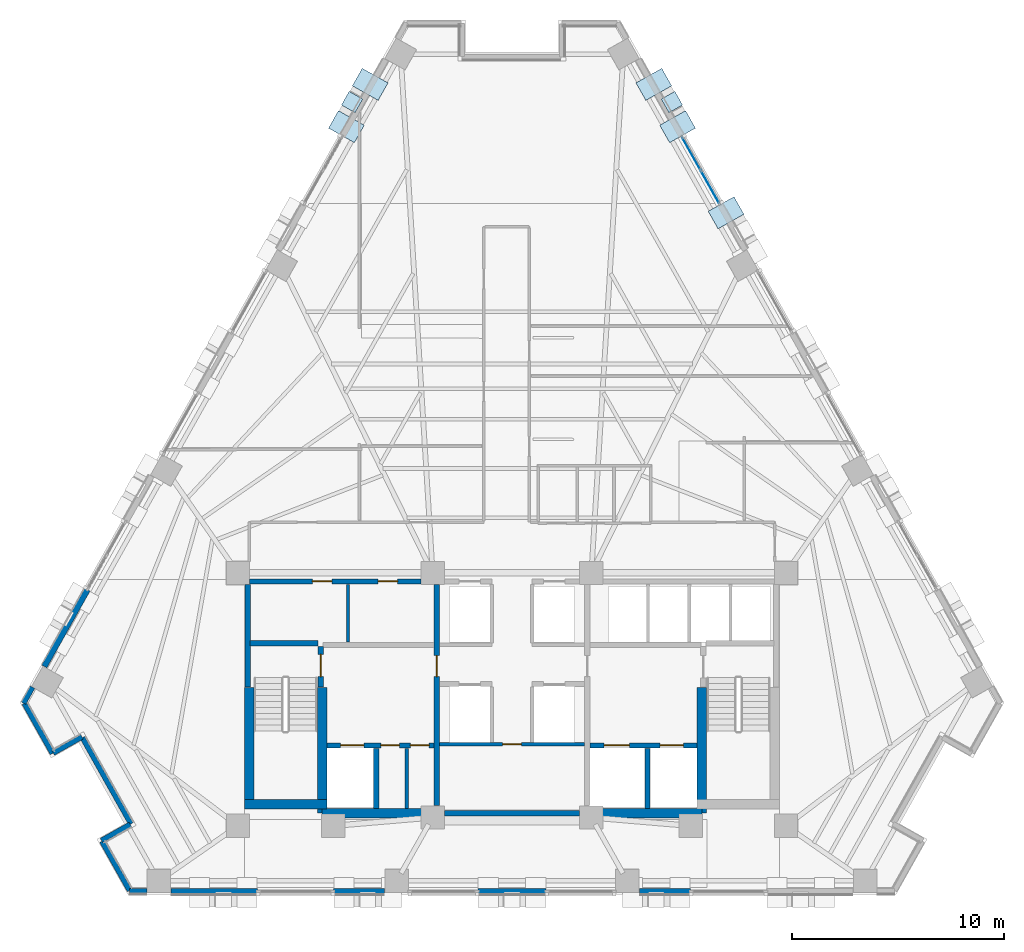
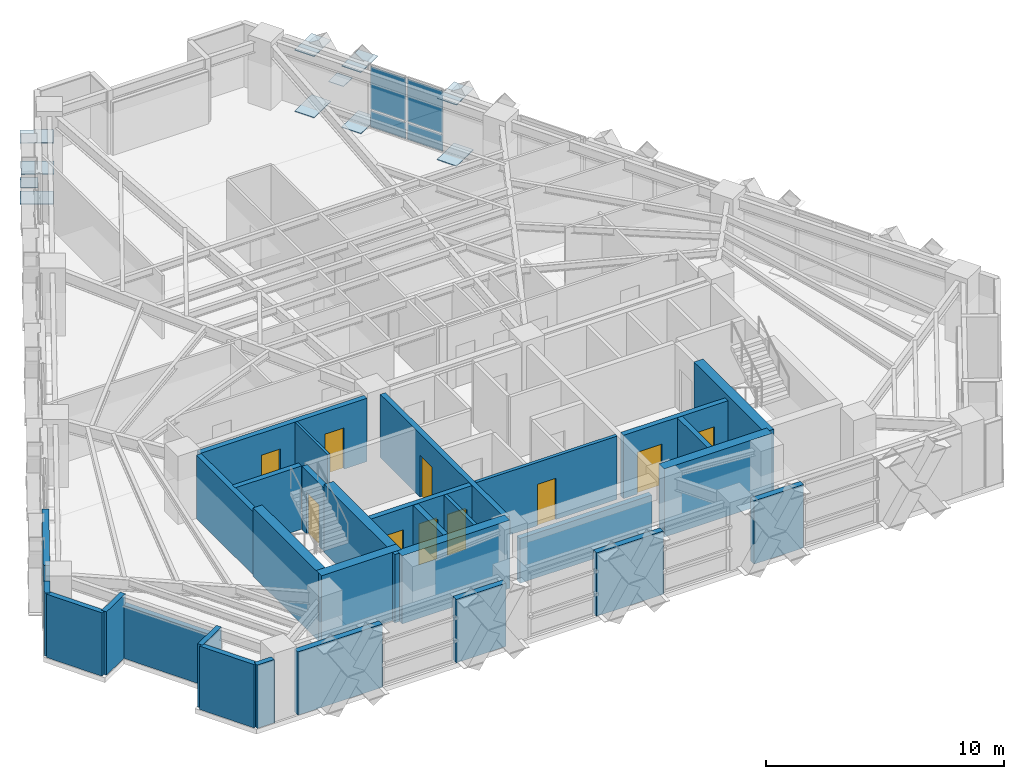
# One storey, part 7 of 14: 31 walls, 15 plates, 10 doors, 10 openings, 1 element without a shape of its own.
"""IFC4 building model written with IfcOpenShell, lengths in metres."""

from ifc_helpers import new_model, si_unit, direction, frame, frame_2d, origin, origin_2d, place, context, subcontext, project, spatial, rectangle, extrude, material, layer, layer_set, type_object, element, fill, aggregate, save


model = new_model("IFC4")

# Units and contexts
model_context = context("Model", 3, precision=1e-05, world=origin(), true_north=direction((0.0, 1.0)))
body_context = subcontext(model_context, "Body", "Model", "MODEL_VIEW")
ifc_project = project(units=[si_unit("LENGTHUNIT", "METRE"), si_unit("AREAUNIT", "SQUARE_METRE"), si_unit("VOLUMEUNIT", "CUBIC_METRE"), si_unit("PLANEANGLEUNIT", "RADIAN"), si_unit("MASSUNIT", "GRAM", prefix="KILO")], contexts=[model_context])

# Site, building, storey
site_placement = place(None, origin())
site = spatial("IfcSite", under=ifc_project, at=site_placement, CompositionType="ELEMENT")
building_placement = place(site_placement, origin())
building = spatial("IfcBuilding", under=site, at=building_placement, Name="Quenlor Broadcast Tower", CompositionType="ELEMENT")
storey_placement = place(building_placement, frame((0.0, 0.0, 102.0)))
storey = spatial("IfcBuildingStorey", under=building, at=storey_placement, Name="L27", CompositionType="ELEMENT", Elevation=102.0)

# Curtain wall, plates
ifc_material_1 = material(Name="Architectural Terracotta and Low-E Glazing", Category="masonry")
curtain_wall_type = type_object("IfcCurtainWallType", Name="Unitised Terracotta Curtain Wall System Z2", PredefinedType="NOTDEFINED", material=ifc_material_1)
curtain_wall_placement = place(storey_placement, origin())
curtain_wall = element("IfcCurtainWall", 1, at=curtain_wall_placement, inside=storey, type_object=curtain_wall_type, Name="L27 Curtain Wall CW2 (L27-NEA-G1)", PredefinedType="NOTDEFINED")
ifc_material_2 = material(Name="Double Glazed Low-E Solar Glass", Category="glass")
ifc_layer_1 = layer(ifc_material_2, 0.030029296875)
ifc_layer_set_1 = layer_set([ifc_layer_1], Name="CW2 Double Glazed Vision Panel 30")
plate_type_1 = type_object("IfcPlateType", Name="CW2 Double Glazed Vision Panel 30", PredefinedType="CURTAIN_PANEL", material=ifc_layer_set_1)
plate_1_placement = place(storey_placement, frame((8.473388671875, 15.009765625, 0.074951171875), z_axis=(0.0, 0.0, 1.0), x_axis=(0.490265104904, -0.871573362898, 0.0)))
plate_1 = element("IfcPlate", 2, at=plate_1_placement, type_object=plate_type_1, Name="CW2 panel 1.1", PredefinedType="CURTAIN_PANEL", context=body_context, shape_type="SweptSolid", body=[
    extrude(rectangle(XDim=1.72998046875, YDim=0.030029296875, at=origin_2d()), origin(), (0.0, 0.0, 1.0), 0.83740234375),
])
plate_2_placement = place(storey_placement, frame((8.473388671875, 15.009765625, 0.987548828125), z_axis=(0.0, 0.0, 1.0), x_axis=(0.490265104904, -0.871573362898, 0.0)))
plate_2 = element("IfcPlate", 3, at=plate_2_placement, type_object=plate_type_1, Name="CW2 panel 1.2", PredefinedType="CURTAIN_PANEL", context=body_context, shape_type="SweptSolid", body=[
    extrude(rectangle(XDim=1.72998046875, YDim=0.030029296875, at=origin_2d()), origin(), (0.0, 0.0, 1.0), 2.1875),
])
plate_3_placement = place(storey_placement, frame((9.3583984375, 13.4365234375, 0.074951171875), z_axis=(0.0, 0.0, 1.0), x_axis=(0.490265104904, -0.871573362898, 0.0)))
plate_3 = element("IfcPlate", 4, at=plate_3_placement, type_object=plate_type_1, Name="CW2 panel 2.1", PredefinedType="CURTAIN_PANEL", context=body_context, shape_type="SweptSolid", body=[
    extrude(rectangle(XDim=1.72998046875, YDim=0.030029296875, at=origin_2d()), origin(), (0.0, 0.0, 1.0), 0.83740234375),
])
plate_4_placement = place(storey_placement, frame((9.3583984375, 13.4365234375, 0.987548828125), z_axis=(0.0, 0.0, 1.0), x_axis=(0.490265104904, -0.871573362898, 0.0)))
plate_4 = element("IfcPlate", 5, at=plate_4_placement, type_object=plate_type_1, Name="CW2 panel 2.2", PredefinedType="CURTAIN_PANEL", context=body_context, shape_type="SweptSolid", body=[
    extrude(rectangle(XDim=1.72998046875, YDim=0.030029296875, at=origin_2d()), origin(), (0.0, 0.0, 1.0), 2.1875),
])
aggregate(curtain_wall, [plate_1, plate_2, plate_3, plate_4])

# Plates
ifc_material_3 = material(Name="Steel S355", Category="steel")
ifc_layer_2 = layer(ifc_material_3, 0.028076171875)
ifc_layer_set_2 = layer_set([ifc_layer_2], Name="Perimeter Lattice Node Steel S355 Cap Plate 740x740x28")
plate_type_2 = type_object("IfcPlateType", Name="Perimeter Lattice Node Steel S355 Cap Plate 740x740x28", PredefinedType="USERDEFINED", material=ifc_layer_set_2)
for number, where, z_axis, x_axis, name in (
    (6, (7.5537109375, 17.45068359375, 1.61572265625), (0.0, 0.0, 1.0), (0.490295412055, -0.871556314255, 0.0), "L27 Diamond Lattice Crossing Node NE-C1"),
    (7, (-7.5537109375, 17.45068359375, 1.61572265625), (0.0, 0.0, 1.0), (0.490295412055, 0.871556314255, 0.0), "L27 Diamond Lattice Crossing Node NW-C5"),
):
    element("IfcPlate", number, at=place(storey_placement, frame(where, z_axis=z_axis, x_axis=x_axis)), inside=storey, type_object=plate_type_2, Name=name, ObjectType="CAP PLATE", PredefinedType="USERDEFINED", context=body_context, shape_type="SweptSolid", body=[
        extrude(rectangle(XDim=0.739990234375, YDim=0.739990234375, at=origin_2d()), origin(), (0.0, 0.0, 1.0), 0.028076171875),
    ])
ifc_material_4 = material(Name="Steel S355", Category="steel")
ifc_layer_3 = layer(ifc_material_4, 0.035888671875)
ifc_layer_set_3 = layer_set([ifc_layer_3], Name="Transfer Truss Steel S355 Gusset Node Plate 1400x950x36")
plate_type_3 = type_object("IfcPlateType", Name="Transfer Truss Steel S355 Gusset Node Plate 1400x950x36", PredefinedType="SHEET", material=ifc_layer_set_3)
for number, where, z_axis, x_axis, name in (
    (8, (6.69970703125, 18.28564453125, 0.0419921875), (0.0, 0.0, 1.0), (0.871556314255, 0.490295412055, 0.0), "L27 Lattice Tie Gusset Node NE-B1"),
    (9, (7.823486328125, 16.287353515625, 3.18212890625), (0.0, 0.0, 1.0), (0.871556314255, 0.490295412055, 0.0), "L27 Lattice Tie Gusset Node NE-T2"),
    (10, (7.823486328125, 16.287353515625, 0.0419921875), (0.0, 0.0, 1.0), (0.871556314255, 0.490295412055, 0.0), "L27 Lattice Tie Gusset Node NE-B2"),
    (11, (6.69970703125, 18.28564453125, 3.18212890625), (0.0, 0.0, 1.0), (0.871556314255, 0.490295412055, 0.0), "L27 Lattice Tie Gusset Node NE-T1"),
    (12, (10.11279296875, 12.218017578125, 0.0419921875), (0.0, 0.0, 1.0), (0.871556314255, 0.490295412055, 0.0), "L27 Lattice Tie Gusset Node NE-B4"),
    (13, (10.11279296875, 12.218017578125, 3.18212890625), (0.0, 0.0, 1.0), (0.871556314255, 0.490295412055, 0.0), "L27 Lattice Tie Gusset Node NE-T4"),
    (14, (-6.69970703125, 18.28564453125, 3.18212890625), (0.0, 0.0, 1.0), (-0.871556314255, 0.490295412055, 0.0), "L27 Lattice Tie Gusset Node NW-T14"),
    (15, (-6.69970703125, 18.28564453125, 0.0419921875), (0.0, 0.0, 1.0), (-0.871556314255, 0.490295412055, 0.0), "L27 Lattice Tie Gusset Node NW-B14"),
    (16, (-7.823486328125, 16.287353515625, 3.18212890625), (0.0, 0.0, 1.0), (-0.871556314255, 0.490295412055, 0.0), "L27 Lattice Tie Gusset Node NW-T13"),
):
    element("IfcPlate", number, at=place(storey_placement, frame(where, z_axis=z_axis, x_axis=x_axis)), inside=storey, type_object=plate_type_3, Name=name, PredefinedType="SHEET", context=body_context, shape_type="SweptSolid", body=[
        extrude(rectangle(XDim=1.39990234375, YDim=0.949951171875, at=origin_2d()), origin(), (0.0, 0.0, 1.0), 0.035888671875),
    ])

# Walls
ifc_material_5 = material(Name="Concrete C50/60", Category="concrete")
ifc_layer_4 = layer(ifc_material_5, 0.449951171875)
ifc_layer_set_4 = layer_set([ifc_layer_4], Name="Core Concrete C50/60 Shear Wall 450")
wall_type_1 = type_object("IfcWallType", Name="Core Concrete C50/60 Shear Wall 450", PredefinedType="SHEAR", material=ifc_layer_set_4)
wall_1_placement = place(storey_placement, frame((-12.64990234375, -15.72509765625, 0.0), z_axis=(0.0, 0.0, 1.0), x_axis=(1.0, 0.0, 0.0)))
element("IfcWall", 17, at=wall_1_placement, inside=storey, type_object=wall_type_1, Name="L27 Core Shear Wall WS-W1", PredefinedType="SHEAR", context=body_context, shape_type="SweptSolid", body=[
    extrude(rectangle(XDim=3.89990234375, YDim=0.449951171875, at=frame_2d((1.949951171875, 0.0))), origin(), (0.0, 0.0, 1.0), 3.5),
])
for number, where, z_axis, x_axis, name in (
    (18, (-8.97509765625, -16.14990234375, 0.0), (0.0, 0.0, 1.0), (1.0, 0.0, 0.0), "L27 Core Shear Wall WS-W2"),
    (19, (3.75, -16.14990234375, 0.0), (0.0, 0.0, 1.0), (1.0, 0.0, 0.0), "L27 Core Shear Wall WS-E1"),
):
    element("IfcWall", number, at=place(storey_placement, frame(where, z_axis=z_axis, x_axis=x_axis)), inside=storey, type_object=wall_type_1, Name=name, PredefinedType="SHEAR", context=body_context, shape_type="SweptSolid", body=[
        extrude(rectangle(XDim=5.22509765625, YDim=0.449951171875, at=frame_2d((2.612548828125, 0.0))), origin(), (0.0, 0.0, 1.0), 3.5),
    ])
wall_2_placement = place(storey_placement, frame((-12.425048828125, -15.72509765625, 0.0), z_axis=(0.0, 0.0, 1.0), x_axis=(0.0, 1.0, 0.0)))
element("IfcWall", 20, at=wall_2_placement, inside=storey, type_object=wall_type_1, Name="L27 Core Shear Wall WF-W", PredefinedType="SHEAR", context=body_context, shape_type="SweptSolid", body=[
    extrude(rectangle(XDim=5.525146484375, YDim=0.449951171875, at=frame_2d((2.7626953125, 0.0))), origin(), (0.0, 0.0, 1.0), 3.5),
])
for number, where, z_axis, x_axis, name in (
    (21, (-8.97509765625, -16.14990234375, 0.0), (0.0, 0.0, 1.0), (0.0, 1.0, 0.0), "L27 Core Shear Wall WI-W"),
    (22, (8.97509765625, -16.14990234375, 0.0), (0.0, 0.0, 1.0), (0.0, 1.0, 0.0), "L27 Core Shear Wall WI-E"),
):
    element("IfcWall", number, at=place(storey_placement, frame(where, z_axis=z_axis, x_axis=x_axis)), inside=storey, type_object=wall_type_1, Name=name, PredefinedType="SHEAR", context=body_context, shape_type="SweptSolid", body=[
        extrude(rectangle(XDim=5.949951171875, YDim=0.449951171875, at=frame_2d((2.97509765625, 0.0))), origin(), (0.0, 0.0, 1.0), 3.5),
    ])

# Wall, opening, door
ifc_material_6 = material(Name="Concrete C40/50", Category="concrete")
ifc_layer_5 = layer(ifc_material_6, 0.25)
ifc_layer_set_5 = layer_set([ifc_layer_5], Name="Fire Rated Concrete C40/50 Core Wall 250")
wall_type_2 = type_object("IfcWallType", Name="Fire Rated Concrete C40/50 Core Wall 250", PredefinedType="PARTITIONING", material=ifc_layer_set_5)
wall_3_placement = place(storey_placement, frame((-9.0400390625, -10.179931640625, 0.0), z_axis=(0.0, 0.0, 1.0), x_axis=(0.0, 1.0, 0.0)))
wall_3 = element("IfcWall", 23, at=wall_3_placement, inside=storey, type_object=wall_type_2, Name="L27 Interior Wall CW-ST1-DR", PredefinedType="PARTITIONING", context=body_context, shape_type="SweptSolid", body=[
    extrude(rectangle(XDim=1.89990234375, YDim=0.25, at=frame_2d((0.949951171875, 0.0))), origin(), (0.0, 0.0, 1.0), 3.25),
])
opening_1_placement = place(wall_3_placement, frame((0.47998046875, 0.0, 0.0)))
opening_1 = element("IfcOpeningElement", 24, at=opening_1_placement, cuts=wall_3, Name="Opening FD-1", PredefinedType="OPENING", context=body_context, shape_type="SweptSolid", body=[
    extrude(rectangle(XDim=1.050048828125, YDim=2.14990234375, at=frame_2d((0.52490234375, 1.074951171875))), frame((0.0, 0.135009765625, 0.0), z_axis=(0.0, -1.0, 0.0), x_axis=(1.0, 0.0, 0.0)), (0.0, 0.0, 1.0), 0.27001953125),
])
ifc_material_7 = material(Name="Fire Rated Steel Door Leaf", Category="steel")
door_type_1 = type_object("IfcDoorType", Name="Fire Isolated Stair Door 1050x2150", OperationType="NOTDEFINED", PredefinedType="DOOR", material=ifc_material_7)
door_1_placement = place(opening_1_placement, origin())
door_1 = element("IfcDoor", 25, at=door_1_placement, inside=storey, type_object=door_type_1, Name="L27 Door DR-ST1", OperationType="SINGLE_SWING_LEFT", OverallHeight=2.14990234375, OverallWidth=1.050048828125, PredefinedType="DOOR", context=body_context, shape_type="SweptSolid", body=[
    extrude(rectangle(XDim=1.050048828125, YDim=2.14990234375, at=frame_2d((0.52490234375, 1.074951171875))), frame((0.0, 0.02490234375, 0.0), z_axis=(0.0, -1.0, 0.0), x_axis=(1.0, 0.0, 0.0)), (0.0, 0.0, 1.0), 0.050048828125),
])
fill(opening_1, door_1)

# Walls
wall_4_placement = place(storey_placement, frame((-12.3798828125, -8.1201171875, 0.0), z_axis=(0.0, 0.0, 1.0), x_axis=(1.0, 0.0, 0.0)))
element("IfcWall", 26, at=wall_4_placement, inside=storey, type_object=wall_type_2, Name="L27 Interior Wall CW-ST1-N", PredefinedType="PARTITIONING", context=body_context, shape_type="SweptSolid", body=[
    extrude(rectangle(XDim=3.219970703125, YDim=0.25, at=frame_2d((1.60986328125, 0.0))), origin(), (0.0, 0.0, 1.0), 3.25),
])
wall_5_placement = place(storey_placement, frame((-12.47998046875, -10.179931640625, 0.0), z_axis=(0.0, 0.0, 1.0), x_axis=(0.0, 1.0, 0.0)))
element("IfcWall", 27, at=wall_5_placement, inside=storey, type_object=wall_type_2, Name="L27 Interior Wall CW-ST1-W2", PredefinedType="PARTITIONING", context=body_context, shape_type="SweptSolid", body=[
    extrude(rectangle(XDim=4.827880859375, YDim=0.25, at=frame_2d((2.4140625, 0.0))), origin(), (0.0, 0.0, 1.0), 3.25),
])

# Wall, openings, doors
wall_6_placement = place(storey_placement, frame((-8.748046875, -12.949951171875, 0.0), z_axis=(0.0, 0.0, 1.0), x_axis=(1.0, 0.0, 0.0)))
wall_6 = element("IfcWall", 28, at=wall_6_placement, inside=storey, type_object=wall_type_2, Name="L27 Interior Wall CW-FFW-S", PredefinedType="PARTITIONING", context=body_context, shape_type="SweptSolid", body=[
    extrude(rectangle(XDim=5.068115234375, YDim=0.25, at=frame_2d((2.5341796875, 0.0))), origin(), (0.0, 0.0, 1.0), 3.25),
])
opening_2_placement = place(wall_6_placement, frame((0.64794921875, 0.0, 0.0)))
opening_2 = element("IfcOpeningElement", 29, at=opening_2_placement, cuts=wall_6, Name="Opening LD-FFL-1", PredefinedType="OPENING", context=body_context, shape_type="SweptSolid", body=[
    extrude(rectangle(XDim=1.10009765625, YDim=2.14990234375, at=frame_2d((0.550048828125, 1.074951171875))), frame((0.0, 0.135009765625, 0.0), z_axis=(0.0, -1.0, 0.0), x_axis=(1.0, 0.0, 0.0)), (0.0, 0.0, 1.0), 0.27001953125),
])
opening_3_placement = place(wall_6_placement, frame((2.548095703125, 0.0, 0.0)))
opening_3 = element("IfcOpeningElement", 30, at=opening_3_placement, cuts=wall_6, Name="Opening TD-1", PredefinedType="OPENING", context=body_context, shape_type="SweptSolid", body=[
    extrude(rectangle(XDim=0.8798828125, YDim=2.10009765625, at=frame_2d((0.43994140625, 1.050048828125))), frame((0.0, 0.135009765625, 0.0), z_axis=(0.0, -1.0, 0.0), x_axis=(1.0, 0.0, 0.0)), (0.0, 0.0, 1.0), 0.27001953125),
])
opening_4_placement = place(wall_6_placement, frame((3.947998046875, 0.0, 0.0)))
opening_4 = element("IfcOpeningElement", 31, at=opening_4_placement, cuts=wall_6, Name="Opening TD-1", PredefinedType="OPENING", context=body_context, shape_type="SweptSolid", body=[
    extrude(rectangle(XDim=0.8798828125, YDim=2.10009765625, at=frame_2d((0.43994140625, 1.050048828125))), frame((0.0, 0.135009765625, 0.0), z_axis=(0.0, -1.0, 0.0), x_axis=(1.0, 0.0, 0.0)), (0.0, 0.0, 1.0), 0.27001953125),
])
ifc_material_8 = material(Name="Brushed Stainless Steel", Category="steel")
door_type_2 = type_object("IfcDoorType", Name="Emergency Lift Sliding Landing Door 1100x2150", OperationType="NOTDEFINED", PredefinedType="DOOR", material=ifc_material_8)
door_2_placement = place(opening_2_placement, origin())
door_2 = element("IfcDoor", 32, at=door_2_placement, inside=storey, type_object=door_type_2, Name="L27 Door LD-FFL-1", OperationType="SLIDING_TO_LEFT", OverallHeight=2.14990234375, OverallWidth=1.10009765625, PredefinedType="DOOR", context=body_context, shape_type="SweptSolid", body=[
    extrude(rectangle(XDim=1.10009765625, YDim=2.14990234375, at=frame_2d((0.550048828125, 1.074951171875))), frame((0.0, 0.02490234375, 0.0), z_axis=(0.0, -1.0, 0.0), x_axis=(1.0, 0.0, 0.0)), (0.0, 0.0, 1.0), 0.050048828125),
])
fill(opening_2, door_2)
ifc_material_9 = material(Name="Fire Rated Steel Access Panel", Category="steel")
door_type_3 = type_object("IfcDoorType", Name="Riser Shaft Rated Access Trapdoor 880x2100", OperationType="NOTDEFINED", PredefinedType="TRAPDOOR", material=ifc_material_9)
door_3_placement = place(opening_3_placement, origin())
door_3 = element("IfcDoor", 33, at=door_3_placement, inside=storey, type_object=door_type_3, Name="L27 Door DR-ELR", OperationType="SINGLE_SWING_LEFT", OverallHeight=2.10009765625, OverallWidth=0.8798828125, PredefinedType="TRAPDOOR", context=body_context, shape_type="SweptSolid", body=[
    extrude(rectangle(XDim=0.8798828125, YDim=2.10009765625, at=frame_2d((0.43994140625, 1.050048828125))), frame((0.0, 0.02490234375, 0.0), z_axis=(0.0, -1.0, 0.0), x_axis=(1.0, 0.0, 0.0)), (0.0, 0.0, 1.0), 0.050048828125),
])
fill(opening_3, door_3)
door_4_placement = place(opening_4_placement, origin())
door_4 = element("IfcDoor", 34, at=door_4_placement, inside=storey, type_object=door_type_3, Name="L27 Door DR-CMR", OperationType="SINGLE_SWING_RIGHT", OverallHeight=2.10009765625, OverallWidth=0.8798828125, PredefinedType="TRAPDOOR", context=body_context, shape_type="SweptSolid", body=[
    extrude(rectangle(XDim=0.8798828125, YDim=2.10009765625, at=frame_2d((0.43994140625, 1.050048828125))), frame((0.0, 0.02490234375, 0.0), z_axis=(0.0, -1.0, 0.0), x_axis=(1.0, 0.0, 0.0)), (0.0, 0.0, 1.0), 0.050048828125),
])
fill(opening_4, door_4)

wall_7_placement = place(storey_placement, frame((3.679931640625, -12.949951171875, 0.0), z_axis=(0.0, 0.0, 1.0), x_axis=(1.0, 0.0, 0.0)))
wall_7 = element("IfcWall", 35, at=wall_7_placement, inside=storey, type_object=wall_type_2, Name="L27 Interior Wall CW-FFE-S", PredefinedType="PARTITIONING", context=body_context, shape_type="SweptSolid", body=[
    extrude(rectangle(XDim=5.068115234375, YDim=0.25, at=frame_2d((2.5341796875, 0.0))), origin(), (0.0, 0.0, 1.0), 3.25),
])
opening_5_placement = place(wall_7_placement, frame((3.320068359375, 0.0, 0.0)))
opening_5 = element("IfcOpeningElement", 36, at=opening_5_placement, cuts=wall_7, Name="Opening LD-FFL-2", PredefinedType="OPENING", context=body_context, shape_type="SweptSolid", body=[
    extrude(rectangle(XDim=1.10009765625, YDim=2.14990234375, at=frame_2d((0.550048828125, 1.074951171875))), frame((0.0, 0.135009765625, 0.0), z_axis=(0.0, -1.0, 0.0), x_axis=(1.0, 0.0, 0.0)), (0.0, 0.0, 1.0), 0.27001953125),
])
opening_6_placement = place(wall_7_placement, frame((0.669921875, 0.0, 0.0)))
opening_6 = element("IfcOpeningElement", 37, at=opening_6_placement, cuts=wall_7, Name="Opening LD-SVL-1", PredefinedType="OPENING", context=body_context, shape_type="SweptSolid", body=[
    extrude(rectangle(XDim=1.199951171875, YDim=2.14990234375, at=frame_2d((0.60009765625, 1.074951171875))), frame((0.0, 0.135009765625, 0.0), z_axis=(0.0, -1.0, 0.0), x_axis=(1.0, 0.0, 0.0)), (0.0, 0.0, 1.0), 0.27001953125),
])
door_5_placement = place(opening_5_placement, origin())
door_5 = element("IfcDoor", 38, at=door_5_placement, inside=storey, type_object=door_type_2, Name="L27 Door LD-FFL-2", OperationType="SLIDING_TO_RIGHT", OverallHeight=2.14990234375, OverallWidth=1.10009765625, PredefinedType="DOOR", context=body_context, shape_type="SweptSolid", body=[
    extrude(rectangle(XDim=1.10009765625, YDim=2.14990234375, at=frame_2d((0.550048828125, 1.074951171875))), frame((0.0, 0.02490234375, 0.0), z_axis=(0.0, -1.0, 0.0), x_axis=(1.0, 0.0, 0.0)), (0.0, 0.0, 1.0), 0.050048828125),
])
fill(opening_5, door_5)
ifc_material_10 = material(Name="Brushed Stainless Steel", Category="steel")
door_type_4 = type_object("IfcDoorType", Name="Goods Lift Sliding Landing Door 1200x2150", OperationType="NOTDEFINED", PredefinedType="DOOR", material=ifc_material_10)
door_6_placement = place(opening_6_placement, origin())
door_6 = element("IfcDoor", 39, at=door_6_placement, inside=storey, type_object=door_type_4, Name="L27 Door LD-SVL-1", OperationType="SLIDING_TO_LEFT", OverallHeight=2.14990234375, OverallWidth=1.199951171875, PredefinedType="DOOR", context=body_context, shape_type="SweptSolid", body=[
    extrude(rectangle(XDim=1.199951171875, YDim=2.14990234375, at=frame_2d((0.60009765625, 1.074951171875))), frame((0.0, 0.02490234375, 0.0), z_axis=(0.0, -1.0, 0.0), x_axis=(1.0, 0.0, 0.0)), (0.0, 0.0, 1.0), 0.050048828125),
])
fill(opening_6, door_6)

# Walls
for number, where, z_axis, x_axis, name in (
    (40, (-6.419921875, -15.919921875, 0.0), (0.0, 0.0, 1.0), (0.0, 1.0, 0.0), "L27 Interior Wall CW-FF1-E"),
    (41, (6.39990234375, -15.919921875, 0.0), (0.0, 0.0, 1.0), (0.0, 1.0, 0.0), "L27 Interior Wall CW-SV1-E"),
):
    element("IfcWall", number, at=place(storey_placement, frame(where, z_axis=z_axis, x_axis=x_axis)), inside=storey, type_object=wall_type_2, Name=name, PredefinedType="PARTITIONING", context=body_context, shape_type="SweptSolid", body=[
        extrude(rectangle(XDim=2.829833984375, YDim=0.25, at=frame_2d((1.4150390625, 0.0))), origin(), (0.0, 0.0, 1.0), 3.25),
    ])

# Wall, opening, door
wall_8_placement = place(storey_placement, frame((-3.550048828125, -15.798095703125, 0.0), z_axis=(0.0, 0.0, 1.0), x_axis=(0.0, 1.0, 0.0)))
wall_8 = element("IfcWall", 42, at=wall_8_placement, inside=storey, type_object=wall_type_2, Name="L27 Interior Wall CW-FFW-E", PredefinedType="PARTITIONING", context=body_context, shape_type="SweptSolid", body=[
    extrude(rectangle(XDim=10.446044921875, YDim=0.25, at=frame_2d((5.22314453125, 0.0))), origin(), (0.0, 0.0, 1.0), 3.25),
])
opening_7_placement = place(wall_8_placement, frame((6.097900390625, 0.0, 0.0)))
opening_7 = element("IfcOpeningElement", 43, at=opening_7_placement, cuts=wall_8, Name="Opening FD-2", PredefinedType="OPENING", context=body_context, shape_type="SweptSolid", body=[
    extrude(rectangle(XDim=1.0, YDim=2.14990234375, at=frame_2d((0.5, 1.074951171875))), frame((0.0, 0.135009765625, 0.0), z_axis=(0.0, -1.0, 0.0), x_axis=(1.0, 0.0, 0.0)), (0.0, 0.0, 1.0), 0.27001953125),
])
ifc_material_11 = material(Name="Fire Rated Glazed Steel Door", Category="steel")
door_type_5 = type_object("IfcDoorType", Name="Firefighting Lobby Smoke Door 1000x2150", OperationType="NOTDEFINED", PredefinedType="DOOR", material=ifc_material_11)
door_7_placement = place(opening_7_placement, origin())
door_7 = element("IfcDoor", 44, at=door_7_placement, inside=storey, type_object=door_type_5, Name="L27 Door DR-FFLW", OperationType="SINGLE_SWING_RIGHT", OverallHeight=2.14990234375, OverallWidth=1.0, PredefinedType="DOOR", context=body_context, shape_type="SweptSolid", body=[
    extrude(rectangle(XDim=1.0, YDim=2.14990234375, at=frame_2d((0.5, 1.074951171875))), frame((0.0, 0.02490234375, 0.0), z_axis=(0.0, -1.0, 0.0), x_axis=(1.0, 0.0, 0.0)), (0.0, 0.0, 1.0), 0.050048828125),
])
fill(opening_7, door_7)

# Wall, openings, doors
wall_9_placement = place(storey_placement, frame((-12.39794921875, -5.199951171875, 0.0), z_axis=(0.0, 0.0, 1.0), x_axis=(1.0, 0.0, 0.0)))
wall_9 = element("IfcWall", 45, at=wall_9_placement, inside=storey, type_object=wall_type_2, Name="L27 Interior Wall CW-N-W", PredefinedType="PARTITIONING", context=body_context, shape_type="SweptSolid", body=[
    extrude(rectangle(XDim=8.095947265625, YDim=0.25, at=frame_2d((4.0478515625, 0.0))), origin(), (0.0, 0.0, 1.0), 3.25),
])
opening_8_placement = place(wall_9_placement, frame((2.968017578125, 0.0, 0.0)))
opening_8 = element("IfcOpeningElement", 46, at=opening_8_placement, cuts=wall_9, Name="Opening ID-1", PredefinedType="OPENING", context=body_context, shape_type="SweptSolid", body=[
    extrude(rectangle(XDim=0.919921875, YDim=2.1201171875, at=frame_2d((0.4599609375, 1.06005859375))), frame((0.0, 0.135009765625, 0.0), z_axis=(0.0, -1.0, 0.0), x_axis=(1.0, 0.0, 0.0)), (0.0, 0.0, 1.0), 0.27001953125),
])
opening_9_placement = place(wall_9_placement, frame((6.068115234375, 0.0, 0.0)))
opening_9 = element("IfcOpeningElement", 47, at=opening_9_placement, cuts=wall_9, Name="Opening ID-1", PredefinedType="OPENING", context=body_context, shape_type="SweptSolid", body=[
    extrude(rectangle(XDim=0.919921875, YDim=2.1201171875, at=frame_2d((0.4599609375, 1.06005859375))), frame((0.0, 0.135009765625, 0.0), z_axis=(0.0, -1.0, 0.0), x_axis=(1.0, 0.0, 0.0)), (0.0, 0.0, 1.0), 0.27001953125),
])
ifc_material_12 = material(Name="Solid Core Timber Oak", Category="wood")
door_type_6 = type_object("IfcDoorType", Name="Single Leaf Timber Office Door 920x2120", OperationType="NOTDEFINED", PredefinedType="DOOR", material=ifc_material_12)
door_8_placement = place(opening_8_placement, origin())
door_8 = element("IfcDoor", 48, at=door_8_placement, inside=storey, type_object=door_type_6, Name="L27 Door DR-RCL1", OperationType="SINGLE_SWING_LEFT", OverallHeight=2.1201171875, OverallWidth=0.919921875, PredefinedType="DOOR", context=body_context, shape_type="SweptSolid", body=[
    extrude(rectangle(XDim=0.919921875, YDim=2.1201171875, at=frame_2d((0.4599609375, 1.06005859375))), frame((0.0, 0.02490234375, 0.0), z_axis=(0.0, -1.0, 0.0), x_axis=(1.0, 0.0, 0.0)), (0.0, 0.0, 1.0), 0.050048828125),
])
fill(opening_8, door_8)
door_9_placement = place(opening_9_placement, origin())
door_9 = element("IfcDoor", 49, at=door_9_placement, inside=storey, type_object=door_type_6, Name="L27 Door DR-RCL2", OperationType="SINGLE_SWING_RIGHT", OverallHeight=2.1201171875, OverallWidth=0.919921875, PredefinedType="DOOR", context=body_context, shape_type="SweptSolid", body=[
    extrude(rectangle(XDim=0.919921875, YDim=2.1201171875, at=frame_2d((0.4599609375, 1.06005859375))), frame((0.0, 0.02490234375, 0.0), z_axis=(0.0, -1.0, 0.0), x_axis=(1.0, 0.0, 0.0)), (0.0, 0.0, 1.0), 0.050048828125),
])
fill(opening_9, door_9)

# Walls
wall_10_placement = place(storey_placement, frame((-3.197998046875, -16.14990234375, 0.0), z_axis=(0.0, 0.0, 1.0), x_axis=(1.0, 0.0, 0.0)))
element("IfcWall", 50, at=wall_10_placement, inside=storey, type_object=wall_type_2, Name="L27 Interior Wall CW-MS-S", PredefinedType="PARTITIONING", context=body_context, shape_type="SweptSolid", body=[
    extrude(rectangle(XDim=6.39599609375, YDim=0.25, at=frame_2d((3.197998046875, 0.0))), origin(), (0.0, 0.0, 1.0), 2.300048828125),
])
ifc_material_13 = material(Name="Gypsum Fireboard Partition", Category="other")
ifc_layer_6 = layer(ifc_material_13, 0.159912109375)
ifc_layer_set_6 = layer_set([ifc_layer_6], Name="Fire Rated Shaft and Corridor Partition 160")
wall_type_3 = type_object("IfcWallType", Name="Fire Rated Shaft and Corridor Partition 160", PredefinedType="PARTITIONING", material=ifc_layer_set_6)
wall_11_placement = place(storey_placement, frame((-4.97998046875, -15.919921875, 0.0), z_axis=(0.0, 0.0, 1.0), x_axis=(0.0, 1.0, 0.0)))
element("IfcWall", 51, at=wall_11_placement, inside=storey, type_object=wall_type_3, Name="L27 Interior Wall CW-ELR-E", PredefinedType="PARTITIONING", context=body_context, shape_type="SweptSolid", body=[
    extrude(rectangle(XDim=2.829833984375, YDim=0.159912109375, at=frame_2d((1.4150390625, 0.0))), origin(), (0.0, 0.0, 1.0), 3.25),
])

# Wall, opening, door
wall_12_placement = place(storey_placement, frame((-3.419921875, -12.89990234375, 0.0), z_axis=(0.0, 0.0, 1.0), x_axis=(1.0, 0.0, 0.0)))
wall_12 = element("IfcWall", 52, at=wall_12_placement, inside=storey, type_object=wall_type_3, Name="L27 Interior Wall CW-MS-B", PredefinedType="PARTITIONING", context=body_context, shape_type="SweptSolid", body=[
    extrude(rectangle(XDim=6.83984375, YDim=0.159912109375, at=frame_2d((3.419921875, 0.0))), origin(), (0.0, 0.0, 1.0), 3.25),
])
opening_10_placement = place(wall_12_placement, frame((2.97998046875, 0.0, 0.0)))
opening_10 = element("IfcOpeningElement", 53, at=opening_10_placement, cuts=wall_12, Name="Opening ID-4", PredefinedType="OPENING", context=body_context, shape_type="SweptSolid", body=[
    extrude(rectangle(XDim=0.8798828125, YDim=2.1201171875, at=frame_2d((0.43994140625, 1.06005859375))), frame((0.0, 0.08984375, 0.0), z_axis=(0.0, -1.0, 0.0), x_axis=(1.0, 0.0, 0.0)), (0.0, 0.0, 1.0), 0.179931640625),
])
ifc_material_14 = material(Name="Solid Core Timber Oak", Category="wood")
door_type_7 = type_object("IfcDoorType", Name="Service Closet Timber Door 880x2120", OperationType="NOTDEFINED", PredefinedType="DOOR", material=ifc_material_14)
door_10_placement = place(opening_10_placement, origin())
door_10 = element("IfcDoor", 54, at=door_10_placement, inside=storey, type_object=door_type_7, Name="L27 Door DR-CSV0", OperationType="SINGLE_SWING_LEFT", OverallHeight=2.1201171875, OverallWidth=0.8798828125, PredefinedType="DOOR", context=body_context, shape_type="SweptSolid", body=[
    extrude(rectangle(XDim=0.8798828125, YDim=2.1201171875, at=frame_2d((0.43994140625, 1.06005859375))), frame((0.0, 0.02490234375, 0.0), z_axis=(0.0, -1.0, 0.0), x_axis=(1.0, 0.0, 0.0)), (0.0, 0.0, 1.0), 0.050048828125),
])
fill(opening_10, door_10)

# Walls
ifc_material_15 = material(Name="Gypsum Plasterboard Partition", Category="other")
ifc_layer_7 = layer(ifc_material_15, 0.1201171875)
ifc_layer_set_7 = layer_set([ifc_layer_7], Name="Standard Office Partition 120")
wall_type_4 = type_object("IfcWallType", Name="Standard Office Partition 120", PredefinedType="PARTITIONING", material=ifc_layer_set_7)
wall_13_placement = place(storey_placement, frame((-7.75, -8.072998046875, 0.0), z_axis=(0.0, 0.0, 1.0), x_axis=(0.0, 1.0, 0.0)))
element("IfcWall", 55, at=wall_13_placement, inside=storey, type_object=wall_type_4, Name="L27 Interior Wall CW-RCL-MID", PredefinedType="PARTITIONING", context=body_context, shape_type="SweptSolid", body=[
    extrude(rectangle(XDim=2.73291015625, YDim=0.1201171875, at=frame_2d((1.366455078125, 0.0))), origin(), (0.0, 0.0, 1.0), 3.25),
])
ifc_material_16 = material(Name="Precast concrete C40/50", Category="concrete")
ifc_layer_8 = layer(ifc_material_16, 0.239990234375)
ifc_layer_set_8 = layer_set([ifc_layer_8], Name="Terrace Threshold Precast Concrete C40/50 Wall 240")
wall_type_5 = type_object("IfcWallType", Name="Terrace Threshold Precast Concrete C40/50 Wall 240", PredefinedType="STANDARD", material=ifc_layer_set_8)
wall_14_placement = place(storey_placement, frame((-17.24755859375, -19.840087890625, 0.0), z_axis=(0.0, 0.0, 1.0), x_axis=(-1.0, 0.0, 0.0)))
element("IfcWall", 56, at=wall_14_placement, inside=storey, type_object=wall_type_5, Name="L27 Exterior Wall L27-SHD-SS1", PredefinedType="STANDARD", context=body_context, shape_type="SweptSolid", body=[
    extrude(rectangle(XDim=0.83642578125, YDim=0.239990234375, at=frame_2d((0.418212890625, 0.0))), origin(), (0.0, 0.0, 1.0), 3.25),
])
wall_15_placement = place(storey_placement, frame((-23.078125, -10.9541015625, 0.0), z_axis=(0.0, 0.0, 1.0), x_axis=(0.490355003566, 0.871522788272, 0.0)))
element("IfcWall", 57, at=wall_15_placement, inside=storey, type_object=wall_type_5, Name="L27 Exterior Wall L27-SHD-NWS0", PredefinedType="STANDARD", context=body_context, shape_type="SweptSolid", body=[
    extrude(rectangle(XDim=0.865234375, YDim=0.239990234375, at=frame_2d((0.4326171875, 0.0))), origin(), (0.0, 0.0, 1.0), 3.25),
])
wall_16_placement = place(storey_placement, frame((-23.043701171875, -10.962890625, 0.0), z_axis=(0.0, 0.0, 1.0), x_axis=(0.490218533594, -0.871599557894, 0.0)))
element("IfcWall", 58, at=wall_16_placement, inside=storey, type_object=wall_type_5, Name="L27 Exterior Wall L27-CNR-12", PredefinedType="STANDARD", context=body_context, shape_type="SweptSolid", body=[
    extrude(rectangle(XDim=2.714111328125, YDim=0.239990234375, at=frame_2d((1.35693359375, 0.0))), origin(), (0.0, 0.0, 1.0), 3.25),
])
wall_17_placement = place(storey_placement, frame((-21.67822265625, -13.30908203125, 0.0), z_axis=(0.0, 0.0, 1.0), x_axis=(0.871546278971, 0.490313250496, 0.0)))
element("IfcWall", 59, at=wall_17_placement, inside=storey, type_object=wall_type_5, Name="L27 Exterior Wall L27-CNR-13", PredefinedType="STANDARD", context=body_context, shape_type="SweptSolid", body=[
    extrude(rectangle(XDim=1.56005859375, YDim=0.239990234375, at=frame_2d((0.780029296875, 0.0))), origin(), (0.0, 0.0, 1.0), 3.25),
])
wall_18_placement = place(storey_placement, frame((-20.299072265625, -12.5791015625, 0.0), z_axis=(0.0, 0.0, 1.0), x_axis=(0.490313250496, -0.871546278971, 0.0)))
element("IfcWall", 60, at=wall_18_placement, inside=storey, type_object=wall_type_5, Name="L27 Exterior Wall L27-CNR-14", PredefinedType="STANDARD", context=body_context, shape_type="SweptSolid", body=[
    extrude(rectangle(XDim=4.679931640625, YDim=0.239990234375, at=frame_2d((2.33984375, 0.0))), origin(), (0.0, 0.0, 1.0), 2.7216796875),
])
wall_19_placement = place(storey_placement, frame((-18.039306640625, -16.677490234375, 0.0), z_axis=(0.0, 0.0, 1.0), x_axis=(-0.871546278971, -0.490313250496, 0.0)))
element("IfcWall", 61, at=wall_19_placement, inside=storey, type_object=wall_type_5, Name="L27 Exterior Wall L27-CNR-15", PredefinedType="STANDARD", context=body_context, shape_type="SweptSolid", body=[
    extrude(rectangle(XDim=1.56005859375, YDim=0.239990234375, at=frame_2d((0.780029296875, 0.0))), origin(), (0.0, 0.0, 1.0), 3.25),
])
wall_20_placement = place(storey_placement, frame((-19.37939453125, -17.477294921875, 0.0), z_axis=(0.0, 0.0, 1.0), x_axis=(0.49023085981, -0.871592625078, 0.0)))
element("IfcWall", 62, at=wall_20_placement, inside=storey, type_object=wall_type_5, Name="L27 Exterior Wall L27-CNR-16", PredefinedType="STANDARD", context=body_context, shape_type="SweptSolid", body=[
    extrude(rectangle(XDim=2.6708984375, YDim=0.239990234375, at=frame_2d((1.33544921875, 0.0))), origin(), (0.0, 0.0, 1.0), 3.25),
])
ifc_material_17 = material(Name="Precast concrete C40/50", Category="concrete")
ifc_layer_9 = layer(ifc_material_17, 0.280029296875)
ifc_layer_set_9 = layer_set([ifc_layer_9], Name="Terracotta Precast Concrete C40/50 Facade Wall 280")
wall_type_6 = type_object("IfcWallType", Name="Terracotta Precast Concrete C40/50 Facade Wall 280", PredefinedType="STANDARD", material=ifc_layer_set_9)
for number, where, z_axis, x_axis, name in (
    (63, (8.43359375, -19.840087890625, 0.0), (0.0, 0.0, 1.0), (-1.0, 0.0, 0.0), "L27 Exterior Wall L27-SA-SP2"),
    (64, (-6.018310546875, -19.840087890625, 0.0), (0.0, 0.0, 1.0), (-1.0, 0.0, 0.0), "L27 Exterior Wall L27-SC-SP1"),
):
    element("IfcWall", number, at=place(storey_placement, frame(where, z_axis=z_axis, x_axis=x_axis)), inside=storey, type_object=wall_type_6, Name=name, PredefinedType="STANDARD", context=body_context, shape_type="SweptSolid", body=[
        extrude(rectangle(XDim=2.415283203125, YDim=0.280029296875, at=frame_2d((1.20751953125, 0.0))), origin(), (0.0, 0.0, 1.0), 3.25),
    ])
wall_21_placement = place(storey_placement, frame((-12.019287109375, -19.840087890625, 0.0), z_axis=(0.0, 0.0, 1.0), x_axis=(-1.0, 0.0, 0.0)))
element("IfcWall", 65, at=wall_21_placement, inside=storey, type_object=wall_type_6, Name="L27 Exterior Wall L27-SC-SP2", PredefinedType="STANDARD", context=body_context, shape_type="SweptSolid", body=[
    extrude(rectangle(XDim=4.09814453125, YDim=0.280029296875, at=frame_2d((2.049072265625, 0.0))), origin(), (0.0, 0.0, 1.0), 3.25),
])
wall_22_placement = place(storey_placement, frame((1.615966796875, -19.840087890625, 0.0), z_axis=(0.0, 0.0, 1.0), x_axis=(-1.0, 0.0, 0.0)))
element("IfcWall", 66, at=wall_22_placement, inside=storey, type_object=wall_type_6, Name="L27 Exterior Wall L27-S-SP1", PredefinedType="STANDARD", context=body_context, shape_type="SweptSolid", body=[
    extrude(rectangle(XDim=3.23193359375, YDim=0.280029296875, at=frame_2d((1.615966796875, 0.0))), origin(), (0.0, 0.0, 1.0), 3.25),
])
wall_23_placement = place(storey_placement, frame((-22.099853515625, -9.215087890625, 0.0), z_axis=(0.0, 0.0, 1.0), x_axis=(0.490255672477, 0.871578668626, 0.0)))
element("IfcWall", 67, at=wall_23_placement, inside=storey, type_object=wall_type_6, Name="L27 Exterior Wall L27-NWA-SP1", PredefinedType="STANDARD", context=body_context, shape_type="SweptSolid", body=[
    extrude(rectangle(XDim=4.1640625, YDim=0.280029296875, at=frame_2d((2.08203125, 0.0))), origin(), (0.0, 0.0, 1.0), 3.25),
])

save(model, "model.ifc")
